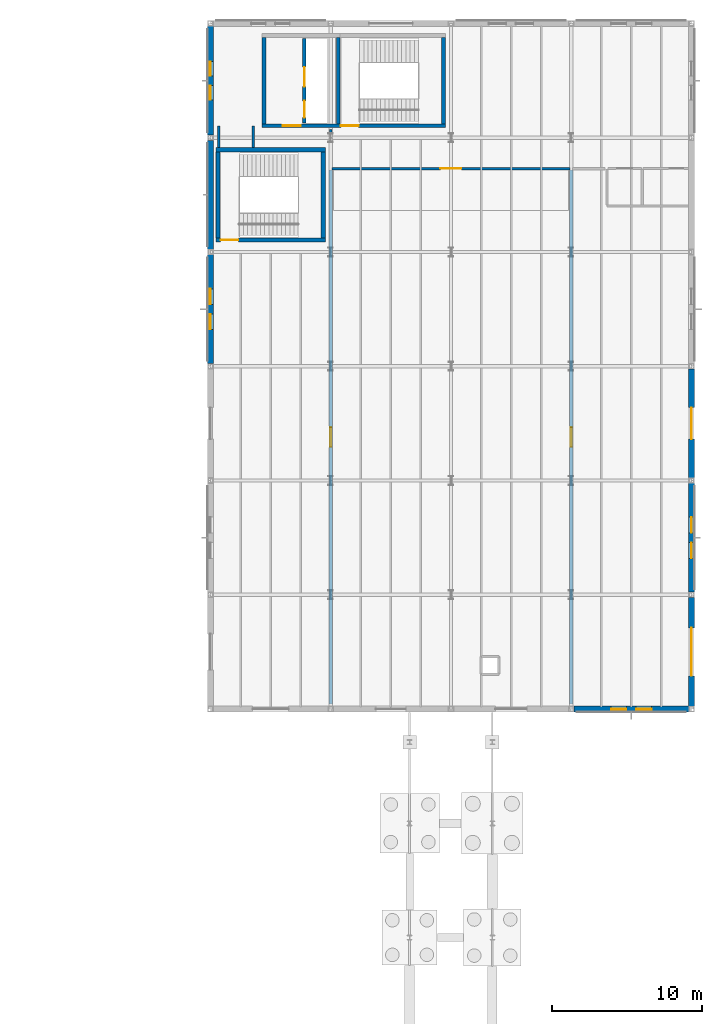
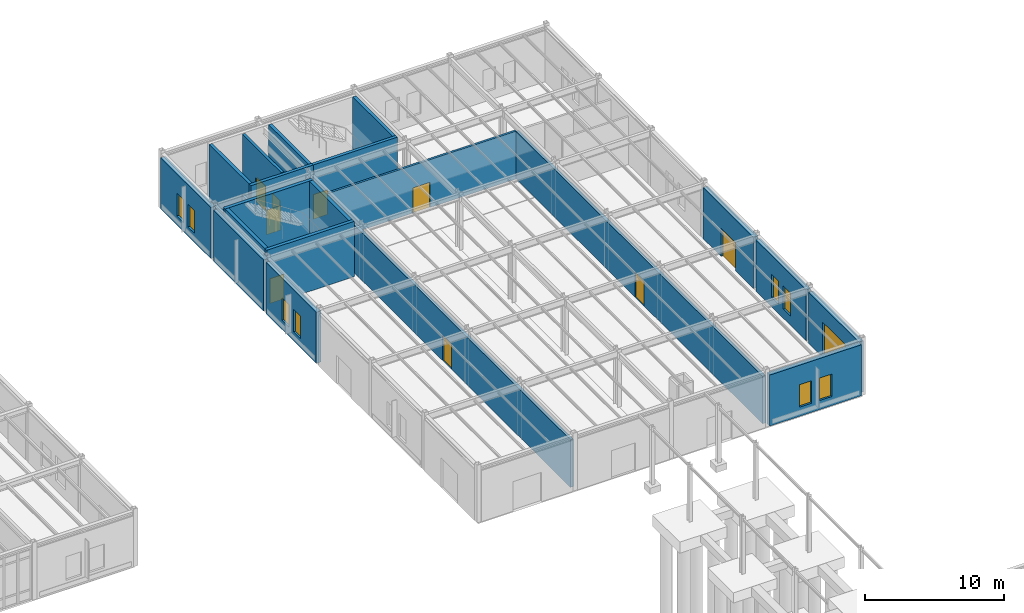
# One storey, part 93 of 109: 23 walls, 10 doors, 8 windows, 18 openings.
"""IFC4 building model written with IfcOpenShell, lengths in metres."""

import ifcopenshell
import ifcopenshell.guid

model = None  # the IFC model being written
_history = None  # IfcOwnerHistory: only IFC2X3 demands one
_inside = {}  # id of a spatial element -> (the spatial element, [elements in it])
_under = {}  # id of a project, library or spatial element -> (it, [spatial elements below it])
_declared = {}  # id of a project -> (the project, [libraries it declares])
_typed = {}  # id of a type object -> (the type object, [elements of that type])
_made_of = {}  # id of a material, layer set ... -> (it, [elements and type objects made of it])


def new_model(schema):
    """Start an empty IFC model of exactly this schema.

    Asked for "IFC4X3", IfcOpenShell would pick the latest addendum, in which some entities
    have other attributes; the version numbers below select the first issue.
    IFC2X3 requires an IfcOwnerHistory on every rooted entity: one is made here for all.
    """
    global model, _history
    if schema == "IFC4X3":
        model = ifcopenshell.file(schema_version=(4, 3, 0, 0))
    else:
        model = ifcopenshell.file(schema=schema)
    _inside.clear()
    _under.clear()
    _declared.clear()
    _typed.clear()
    _made_of.clear()
    _history = None
    if model.schema == "IFC2X3":
        org = make("IfcOrganization", Name="unknown")
        user = make(
            "IfcPersonAndOrganization",
            ThePerson=make("IfcPerson", FamilyName="unknown"),
            TheOrganization=org,
        )
        app = make(
            "IfcApplication",
            ApplicationDeveloper=org,
            Version="unknown",
            ApplicationFullName="unknown",
            ApplicationIdentifier="unknown",
        )
        _history = make(
            "IfcOwnerHistory",
            OwningUser=user,
            OwningApplication=app,
            ChangeAction="ADDED",
            CreationDate=0,
        )
    return model


def make(cls, **values):
    """One entity of the class cls with the attributes given. An attribute that is None is left unset."""
    return model.create_entity(
        cls, **{name: value for name, value in values.items() if value is not None}
    )


def rooted(cls, **values):
    """An entity with a GlobalId (a new one), such as an element, a storey or a relation."""
    return make(cls, GlobalId=ifcopenshell.guid.new(), OwnerHistory=_history, **values)


def si_unit(unit_type, name, prefix=None):
    """IfcSIUnit, for example si_unit("LENGTHUNIT", "METRE", prefix="MILLI")."""
    return make("IfcSIUnit", UnitType=unit_type, Prefix=prefix, Name=name)


def assignment(units):
    """IfcUnitAssignment: the units of a project."""
    return None if units is None else make("IfcUnitAssignment", Units=units)


def point(xyz):
    """IfcCartesianPoint."""
    return None if xyz is None else make("IfcCartesianPoint", Coordinates=xyz)


def direction(xyz):
    """IfcDirection."""
    return None if xyz is None else make("IfcDirection", DirectionRatios=xyz)


def frame(location, z_axis=None, x_axis=None):
    """IfcAxis2Placement3D, a coordinate frame: its origin and axes. An axis left out is left unset."""
    return make(
        "IfcAxis2Placement3D",
        Location=point(location),
        Axis=direction(z_axis),
        RefDirection=direction(x_axis),
    )


def frame_2d(location, x_axis=None):
    """IfcAxis2Placement2D, a coordinate frame in the plane: its origin and x axis."""
    return make(
        "IfcAxis2Placement2D", Location=point(location), RefDirection=direction(x_axis)
    )


def origin():
    """The frame at (0, 0, 0) with its axes left unset."""
    return frame((0.0, 0.0, 0.0))


def place(relative_to, where):
    """IfcLocalPlacement: puts the frame where relative to a parent placement (None: the world)."""
    return make(
        "IfcLocalPlacement", PlacementRelTo=relative_to, RelativePlacement=where
    )


def context(
    kind, dimensions, precision=None, world=None, true_north=None, identifier=None
):
    """IfcGeometricRepresentationContext, for example the 3D "Model" context."""
    return make(
        "IfcGeometricRepresentationContext",
        ContextIdentifier=identifier,
        ContextType=kind,
        CoordinateSpaceDimension=dimensions,
        Precision=precision,
        WorldCoordinateSystem=world,
        TrueNorth=true_north,
    )


def subcontext(parent, identifier, kind, view, scale=None):
    """IfcGeometricRepresentationSubContext, for example "Body" below "Model"."""
    return make(
        "IfcGeometricRepresentationSubContext",
        ContextIdentifier=identifier,
        ContextType=kind,
        ParentContext=parent,
        TargetScale=scale,
        TargetView=view,
    )


def project(units=None, contexts=None):
    """IfcProject with its units and contexts."""
    return rooted(
        "IfcProject",
        Name="project",
        RepresentationContexts=contexts,
        UnitsInContext=assignment(units),
    )


def spatial(cls, under=None, at=None, **own):
    """A site, building, storey or space (cls), placed at a placement, below another one or the project."""
    s = rooted(cls, ObjectPlacement=at, **own)
    if under is not None:
        _under.setdefault(under.id(), (under, []))[1].append(s)
    return s


def profile(cls, at=None, kind="AREA", **sizes):
    """A parametric profile (cls). Its sizes go by their IFC names, for example OverallWidth=200.0."""
    return make(cls, ProfileType=kind, Position=at, **sizes)


def rectangle(**sizes):
    """IfcRectangleProfileDef."""
    return profile("IfcRectangleProfileDef", **sizes)


def extrude(swept, where, along, depth):
    """IfcExtrudedAreaSolid: the profile swept, set in the frame where, extruded along a direction by depth."""
    return make(
        "IfcExtrudedAreaSolid",
        SweptArea=swept,
        Position=where,
        ExtrudedDirection=direction(along),
        Depth=depth,
    )


def shape(context_of_items, identifier, shape_type, items):
    """IfcShapeRepresentation: the items that make up one representation, for example the "Body"."""
    return make(
        "IfcShapeRepresentation",
        ContextOfItems=context_of_items,
        RepresentationIdentifier=identifier,
        RepresentationType=shape_type,
        Items=items,
    )


def material(Name=None, Category=None):
    """IfcMaterial."""
    return make("IfcMaterial", Name=Name, Category=Category)


def layer(
    of_material, thickness, ventilated=None, Name=None, Category=None, Priority=None
):
    """IfcMaterialLayer: one layer of a wall or slab, of a material (None: an air gap)."""
    return make(
        "IfcMaterialLayer",
        Material=of_material,
        LayerThickness=thickness,
        IsVentilated=ventilated,
        Name=Name,
        Category=Category,
        Priority=Priority,
    )


def layer_set(layers, Name=None):
    """IfcMaterialLayerSet."""
    return make("IfcMaterialLayerSet", MaterialLayers=layers, LayerSetName=Name)


def made_of(thing, what):
    """Note that an element or type object is made of a material, layer set ...; save() writes the relation."""
    if what is not None:
        _made_of.setdefault(what.id(), (what, []))[1].append(thing)
    return thing


def type_object(cls, material=None, **own):
    """A type object (cls), such as IfcWallType, which elements share."""
    return made_of(rooted(cls, **own), material)


def element(
    cls,
    number,
    at=None,
    inside=None,
    cuts=None,
    type_object=None,
    material=None,
    context=None,
    identifier="Body",
    shape_type=None,
    held_by="IfcProductDefinitionShape",
    body=None,
    shapes=None,
    **own,
):
    """One element of the class cls, such as IfcWall. Its Tag is "e" and its number.

    at: its placement. inside: the storey or other place that contains it. cuts: it is an
    opening in that element (IfcRelVoidsElement). A single representation is given by context,
    identifier, shape_type and body (its items); several are given by shapes. held_by: the class
    of the entity that holds the representations. save() writes the other relations.
    """
    e = rooted(cls, Tag="e%d" % number, ObjectPlacement=at, **own)
    if body is not None:
        shapes = [shape(context, identifier, shape_type, body)]
    if shapes is not None:
        e.Representation = make(held_by, Representations=shapes)
    if inside is not None:
        _inside.setdefault(inside.id(), (inside, []))[1].append(e)
    if cuts is not None:
        rooted(
            "IfcRelVoidsElement", RelatingBuildingElement=cuts, RelatedOpeningElement=e
        )
    if type_object is not None:
        _typed.setdefault(type_object.id(), (type_object, []))[1].append(e)
    return made_of(e, material)


def fill(opening, filler):
    """IfcRelFillsElement: the door or window that sits in an opening."""
    return rooted(
        "IfcRelFillsElement",
        RelatingOpeningElement=opening,
        RelatedBuildingElement=filler,
    )


def aggregate(whole, parts):
    """IfcRelAggregates: a whole, such as a stair, and the parts it consists of."""
    return rooted("IfcRelAggregates", RelatingObject=whole, RelatedObjects=parts)


def save(model, path):
    """Write the relations noted so far, then the file.

    IfcRelAggregates (storeys below a building ...), IfcRelContainedInSpatialStructure (elements
    in a storey), IfcRelDefinesByType, IfcRelAssociatesMaterial and IfcRelDeclares: one each for
    every whole, place, type object, material and project.
    """
    for whole, parts in _under.values():
        aggregate(whole, parts)
    for where, things in _inside.values():
        rooted(
            "IfcRelContainedInSpatialStructure",
            RelatedElements=things,
            RelatingStructure=where,
        )
    for kind, things in _typed.values():
        rooted("IfcRelDefinesByType", RelatedObjects=things, RelatingType=kind)
    for what, things in _made_of.values():
        rooted("IfcRelAssociatesMaterial", RelatedObjects=things, RelatingMaterial=what)
    for by, libraries in _declared.values():
        rooted("IfcRelDeclares", RelatingContext=by, RelatedDefinitions=libraries)
    model.write(path)


model = new_model("IFC4")

# Units and contexts
model_context = context("Model", 3, precision=1e-05, world=origin(), true_north=direction((0.0, 1.0)))
body_context = subcontext(model_context, "Body", "Model", "MODEL_VIEW")
ifc_project = project(units=[si_unit("LENGTHUNIT", "METRE"), si_unit("AREAUNIT", "SQUARE_METRE"), si_unit("VOLUMEUNIT", "CUBIC_METRE"), si_unit("PLANEANGLEUNIT", "RADIAN"), si_unit("MASSUNIT", "GRAM", prefix="KILO")], contexts=[model_context])

# Site, building, storey
site_placement = place(None, origin())
site = spatial("IfcSite", under=ifc_project, at=site_placement, CompositionType="ELEMENT")
building_placement = place(site_placement, origin())
building = spatial("IfcBuilding", under=site, at=building_placement, Name="Montecoro Central Library", CompositionType="ELEMENT")
storey_placement = place(building_placement, origin())
storey = spatial("IfcBuildingStorey", under=building, at=storey_placement, Name="L00", CompositionType="ELEMENT", Elevation=0.0)

# Wall, openings, windows
ifc_material_1 = material(Name="Dark piperno stone clad concrete C35/45", Category="masonry")
ifc_layer_1 = layer(ifc_material_1, 0.385009765625)
ifc_layer_set_1 = layer_set([ifc_layer_1], Name="Dark piperno stone clad concrete C35/45")
wall_type_1 = type_object("IfcWallType", Name="EW-PIP-385", PredefinedType="SOLIDWALL", material=ifc_layer_set_1)
wall_1_placement = place(storey_placement, frame((165.177978515625, 73.39990234375, 0.0), z_axis=(0.0, 0.0, 1.0), x_axis=(1.0, 0.0, 0.0)))
wall_1 = element("IfcWall", 1, at=wall_1_placement, inside=storey, type_object=wall_type_1, Name="V5-L00-EW-S3", PredefinedType="SOLIDWALL", context=body_context, shape_type="SweptSolid", body=[
    extrude(rectangle(XDim=7.64404296875, YDim=0.385009765625, at=frame_2d((3.822021484375, 0.0))), origin(), (0.0, 0.0, 1.0), 4.5),
])
opening_1_placement = place(wall_1_placement, frame((2.47705078125, 0.0, 0.800048828125)))
opening_1 = element("IfcOpeningElement", 2, at=opening_1_placement, cuts=wall_1, Name="Opening WN-30", PredefinedType="OPENING", context=body_context, shape_type="SweptSolid", body=[
    extrude(rectangle(XDim=1.02001953125, YDim=1.97998046875, at=frame_2d((0.510009765625, 0.989990234375))), frame((0.0, 0.202392578125, 0.0), z_axis=(0.0, -1.0, 0.0), x_axis=(1.0, 0.0, 0.0)), (0.0, 0.0, 1.0), 0.405029296875),
])
opening_2_placement = place(wall_1_placement, frame((4.14697265625, 0.0, 0.800048828125)))
opening_2 = element("IfcOpeningElement", 3, at=opening_2_placement, cuts=wall_1, Name="Opening WN-30", PredefinedType="OPENING", context=body_context, shape_type="SweptSolid", body=[
    extrude(rectangle(XDim=1.02001953125, YDim=1.97998046875, at=frame_2d((0.510009765625, 0.989990234375))), frame((0.0, 0.202392578125, 0.0), z_axis=(0.0, -1.0, 0.0), x_axis=(1.0, 0.0, 0.0)), (0.0, 0.0, 1.0), 0.405029296875),
])
ifc_material_2 = material(Name="UV-filtered triple glazing", Category="glass")
window_type_1 = type_object("IfcWindowType", Name="WN-STK-102", PartitioningType="SINGLE_PANEL", PredefinedType="WINDOW", material=ifc_material_2)
window_1_placement = place(opening_1_placement, origin())
window_1 = element("IfcWindow", 4, at=window_1_placement, inside=storey, type_object=window_type_1, Name="V5-L00-WN-S3-1", OverallHeight=1.97998046875, OverallWidth=1.02001953125, PartitioningType="SINGLE_PANEL", PredefinedType="WINDOW", context=body_context, shape_type="SweptSolid", body=[
    extrude(rectangle(XDim=1.02001953125, YDim=1.97998046875, at=frame_2d((0.510009765625, 0.989990234375))), frame((0.0, 0.030029296875, 0.0), z_axis=(0.0, -1.0, 0.0), x_axis=(1.0, 0.0, 0.0)), (0.0, 0.0, 1.0), 0.06005859375),
])
fill(opening_1, window_1)
window_2_placement = place(opening_2_placement, origin())
window_2 = element("IfcWindow", 5, at=window_2_placement, inside=storey, type_object=window_type_1, Name="V5-L00-WN-S3-2", OverallHeight=1.97998046875, OverallWidth=1.02001953125, PartitioningType="SINGLE_PANEL", PredefinedType="WINDOW", context=body_context, shape_type="SweptSolid", body=[
    extrude(rectangle(XDim=1.02001953125, YDim=1.97998046875, at=frame_2d((0.510009765625, 0.989990234375))), frame((0.0, 0.030029296875, 0.0), z_axis=(0.0, -1.0, 0.0), x_axis=(1.0, 0.0, 0.0)), (0.0, 0.0, 1.0), 0.06005859375),
])
fill(opening_2, window_2)

# Wall, opening, door
wall_2_placement = place(storey_placement, frame((173.0, 73.577880859375, 0.0), z_axis=(0.0, 0.0, 1.0), x_axis=(0.0, 1.0, 0.0)))
wall_2 = element("IfcWall", 6, at=wall_2_placement, inside=storey, type_object=wall_type_1, Name="V5-L00-EW-E0", PredefinedType="SOLIDWALL", context=body_context, shape_type="SweptSolid", body=[
    extrude(rectangle(XDim=7.244140625, YDim=0.385009765625, at=frame_2d((3.6220703125, 0.0))), origin(), (0.0, 0.0, 1.0), 4.5),
])
opening_3_placement = place(wall_2_placement, frame((2.02197265625, 0.0, 0.0)))
opening_3 = element("IfcOpeningElement", 7, at=opening_3_placement, cuts=wall_2, Name="Opening EG-01", PredefinedType="OPENING", context=body_context, shape_type="SweptSolid", body=[
    extrude(rectangle(XDim=3.199951171875, YDim=3.10009765625, at=frame_2d((1.60009765625, 1.550048828125))), frame((0.0, 0.202392578125, 0.0), z_axis=(0.0, -1.0, 0.0), x_axis=(1.0, 0.0, 0.0)), (0.0, 0.0, 1.0), 0.405029296875),
])
ifc_material_3 = material(Name="Thermally broken architectural bronze and safety glass", Category="glass")
door_type_1 = type_object("IfcDoorType", Name="ED-GATE-320", OperationType="NOTDEFINED", PredefinedType="GATE", material=ifc_material_3)
door_1_placement = place(opening_3_placement, origin())
door_1 = element("IfcDoor", 8, at=door_1_placement, inside=storey, type_object=door_type_1, Name="V5-L00-GT-E0", OperationType="ROLLINGUP", OverallHeight=3.10009765625, OverallWidth=3.199951171875, PredefinedType="GATE", context=body_context, shape_type="SweptSolid", body=[
    extrude(rectangle(XDim=3.199951171875, YDim=3.10009765625, at=frame_2d((1.60009765625, 1.550048828125))), frame((0.0, 0.02490234375, 0.0), z_axis=(0.0, -1.0, 0.0), x_axis=(1.0, 0.0, 0.0)), (0.0, 0.0, 1.0), 0.050048828125),
])
fill(opening_3, door_1)

# Wall, openings, windows
wall_3_placement = place(storey_placement, frame((173.0, 81.177978515625, 0.0), z_axis=(0.0, 0.0, 1.0), x_axis=(0.0, 1.0, 0.0)))
wall_3 = element("IfcWall", 9, at=wall_3_placement, inside=storey, type_object=wall_type_1, Name="V5-L00-EW-E1", PredefinedType="SOLIDWALL", context=body_context, shape_type="SweptSolid", body=[
    extrude(rectangle(XDim=7.244140625, YDim=0.385009765625, at=frame_2d((3.6220703125, 0.0))), origin(), (0.0, 0.0, 1.0), 4.5),
])
opening_4_placement = place(wall_3_placement, frame((2.2470703125, 0.0, 0.800048828125)))
opening_4 = element("IfcOpeningElement", 10, at=opening_4_placement, cuts=wall_3, Name="Opening WN-03", PredefinedType="OPENING", context=body_context, shape_type="SweptSolid", body=[
    extrude(rectangle(XDim=1.050048828125, YDim=2.050048828125, at=frame_2d((0.52490234375, 1.02490234375))), frame((0.0, 0.202392578125, 0.0), z_axis=(0.0, -1.0, 0.0), x_axis=(1.0, 0.0, 0.0)), (0.0, 0.0, 1.0), 0.405029296875),
])
opening_5_placement = place(wall_3_placement, frame((3.947021484375, 0.0, 0.800048828125)))
opening_5 = element("IfcOpeningElement", 11, at=opening_5_placement, cuts=wall_3, Name="Opening WN-03", PredefinedType="OPENING", context=body_context, shape_type="SweptSolid", body=[
    extrude(rectangle(XDim=1.050048828125, YDim=2.050048828125, at=frame_2d((0.52490234375, 1.02490234375))), frame((0.0, 0.202392578125, 0.0), z_axis=(0.0, -1.0, 0.0), x_axis=(1.0, 0.0, 0.0)), (0.0, 0.0, 1.0), 0.405029296875),
])
window_type_2 = type_object("IfcWindowType", Name="WN-STK-105", PartitioningType="SINGLE_PANEL", PredefinedType="WINDOW", material=ifc_material_2)
window_3_placement = place(opening_4_placement, origin())
window_3 = element("IfcWindow", 12, at=window_3_placement, inside=storey, type_object=window_type_2, Name="V5-L00-WN-E1-1", OverallHeight=2.050048828125, OverallWidth=1.050048828125, PartitioningType="SINGLE_PANEL", PredefinedType="WINDOW", context=body_context, shape_type="SweptSolid", body=[
    extrude(rectangle(XDim=1.050048828125, YDim=2.050048828125, at=frame_2d((0.52490234375, 1.02490234375))), frame((0.0, 0.030029296875, 0.0), z_axis=(0.0, -1.0, 0.0), x_axis=(1.0, 0.0, 0.0)), (0.0, 0.0, 1.0), 0.06005859375),
])
fill(opening_4, window_3)
window_4_placement = place(opening_5_placement, origin())
window_4 = element("IfcWindow", 13, at=window_4_placement, inside=storey, type_object=window_type_2, Name="V5-L00-WN-E1-2", OverallHeight=2.050048828125, OverallWidth=1.050048828125, PartitioningType="SINGLE_PANEL", PredefinedType="WINDOW", context=body_context, shape_type="SweptSolid", body=[
    extrude(rectangle(XDim=1.050048828125, YDim=2.050048828125, at=frame_2d((0.52490234375, 1.02490234375))), frame((0.0, 0.030029296875, 0.0), z_axis=(0.0, -1.0, 0.0), x_axis=(1.0, 0.0, 0.0)), (0.0, 0.0, 1.0), 0.06005859375),
])
fill(opening_5, window_4)

# Wall, opening, door
wall_4_placement = place(storey_placement, frame((173.0, 88.778076171875, 0.0), z_axis=(0.0, 0.0, 1.0), x_axis=(0.0, 1.0, 0.0)))
wall_4 = element("IfcWall", 14, at=wall_4_placement, inside=storey, type_object=wall_type_1, Name="V5-L00-EW-E2", PredefinedType="SOLIDWALL", context=body_context, shape_type="SweptSolid", body=[
    extrude(rectangle(XDim=7.243896484375, YDim=0.385009765625, at=frame_2d((3.6220703125, 0.0))), origin(), (0.0, 0.0, 1.0), 4.5),
])
opening_6_placement = place(wall_4_placement, frame((2.572021484375, 0.0, 0.0)))
opening_6 = element("IfcOpeningElement", 15, at=opening_6_placement, cuts=wall_4, Name="Opening ED-04", PredefinedType="OPENING", context=body_context, shape_type="SweptSolid", body=[
    extrude(rectangle(XDim=2.10009765625, YDim=2.47998046875, at=frame_2d((1.050048828125, 1.239990234375))), frame((0.0, 0.202392578125, 0.0), z_axis=(0.0, -1.0, 0.0), x_axis=(1.0, 0.0, 0.0)), (0.0, 0.0, 1.0), 0.405029296875),
])
door_type_2 = type_object("IfcDoorType", Name="ED-EXIT-210", OperationType="NOTDEFINED", PredefinedType="DOOR", material=ifc_material_3)
door_2_placement = place(opening_6_placement, origin())
door_2 = element("IfcDoor", 16, at=door_2_placement, inside=storey, type_object=door_type_2, Name="V5-L00-ED-E2", OperationType="SINGLE_SWING_LEFT", OverallHeight=2.47998046875, OverallWidth=2.10009765625, PredefinedType="DOOR", context=body_context, shape_type="SweptSolid", body=[
    extrude(rectangle(XDim=2.10009765625, YDim=2.47998046875, at=frame_2d((1.050048828125, 1.239990234375))), frame((0.0, 0.02490234375, 0.0), z_axis=(0.0, -1.0, 0.0), x_axis=(1.0, 0.0, 0.0)), (0.0, 0.0, 1.0), 0.050048828125),
])
fill(opening_6, door_2)

# Wall, openings, windows
wall_5_placement = place(storey_placement, frame((141.0, 118.822021484375, 0.0), z_axis=(0.0, 0.0, 1.0), x_axis=(0.0, -1.0, 0.0)))
wall_5 = element("IfcWall", 17, at=wall_5_placement, inside=storey, type_object=wall_type_1, Name="V5-L00-EW-W5", PredefinedType="SOLIDWALL", context=body_context, shape_type="SweptSolid", body=[
    extrude(rectangle(XDim=7.244140625, YDim=0.385009765625, at=frame_2d((3.6220703125, 0.0))), origin(), (0.0, 0.0, 1.0), 4.5),
])
opening_7_placement = place(wall_5_placement, frame((2.346923828125, 0.0, 0.800048828125)))
opening_7 = element("IfcOpeningElement", 18, at=opening_7_placement, cuts=wall_5, Name="Opening WN-02", PredefinedType="OPENING", context=body_context, shape_type="SweptSolid", body=[
    extrude(rectangle(XDim=0.949951171875, YDim=2.0, at=frame_2d((0.47509765625, 1.0))), frame((0.0, 0.202392578125, 0.0), z_axis=(0.0, -1.0, 0.0), x_axis=(1.0, 0.0, 0.0)), (0.0, 0.0, 1.0), 0.405029296875),
])
opening_8_placement = place(wall_5_placement, frame((3.947021484375, 0.0, 0.800048828125)))
opening_8 = element("IfcOpeningElement", 19, at=opening_8_placement, cuts=wall_5, Name="Opening WN-02", PredefinedType="OPENING", context=body_context, shape_type="SweptSolid", body=[
    extrude(rectangle(XDim=0.949951171875, YDim=2.0, at=frame_2d((0.47509765625, 1.0))), frame((0.0, 0.202392578125, 0.0), z_axis=(0.0, -1.0, 0.0), x_axis=(1.0, 0.0, 0.0)), (0.0, 0.0, 1.0), 0.405029296875),
])
window_type_3 = type_object("IfcWindowType", Name="WN-STK-095", PartitioningType="SINGLE_PANEL", PredefinedType="WINDOW", material=ifc_material_2)
window_5_placement = place(opening_7_placement, origin())
window_5 = element("IfcWindow", 20, at=window_5_placement, inside=storey, type_object=window_type_3, Name="V5-L00-WN-W5-1", OverallHeight=2.0, OverallWidth=0.949951171875, PartitioningType="SINGLE_PANEL", PredefinedType="WINDOW", context=body_context, shape_type="SweptSolid", body=[
    extrude(rectangle(XDim=0.949951171875, YDim=2.0, at=frame_2d((0.47509765625, 1.0))), frame((0.0, 0.030029296875, 0.0), z_axis=(0.0, -1.0, 0.0), x_axis=(1.0, 0.0, 0.0)), (0.0, 0.0, 1.0), 0.06005859375),
])
fill(opening_7, window_5)
window_6_placement = place(opening_8_placement, origin())
window_6 = element("IfcWindow", 21, at=window_6_placement, inside=storey, type_object=window_type_3, Name="V5-L00-WN-W5-2", OverallHeight=2.0, OverallWidth=0.949951171875, PartitioningType="SINGLE_PANEL", PredefinedType="WINDOW", context=body_context, shape_type="SweptSolid", body=[
    extrude(rectangle(XDim=0.949951171875, YDim=2.0, at=frame_2d((0.47509765625, 1.0))), frame((0.0, 0.030029296875, 0.0), z_axis=(0.0, -1.0, 0.0), x_axis=(1.0, 0.0, 0.0)), (0.0, 0.0, 1.0), 0.06005859375),
])
fill(opening_8, window_6)

# Wall
wall_6_placement = place(storey_placement, frame((141.0, 111.221923828125, 0.0), z_axis=(0.0, 0.0, 1.0), x_axis=(0.0, -1.0, 0.0)))
element("IfcWall", 22, at=wall_6_placement, inside=storey, type_object=wall_type_1, Name="V5-L00-EW-W4", PredefinedType="SOLIDWALL", context=body_context, shape_type="SweptSolid", body=[
    extrude(rectangle(XDim=7.243896484375, YDim=0.385009765625, at=frame_2d((3.6220703125, 0.0))), origin(), (0.0, 0.0, 1.0), 4.5),
])

# Wall, openings, windows
wall_7_placement = place(storey_placement, frame((141.0, 103.6220703125, 0.0), z_axis=(0.0, 0.0, 1.0), x_axis=(0.0, -1.0, 0.0)))
wall_7 = element("IfcWall", 23, at=wall_7_placement, inside=storey, type_object=wall_type_1, Name="V5-L00-EW-W3", PredefinedType="SOLIDWALL", context=body_context, shape_type="SweptSolid", body=[
    extrude(rectangle(XDim=7.244140625, YDim=0.385009765625, at=frame_2d((3.6220703125, 0.0))), origin(), (0.0, 0.0, 1.0), 4.5),
])
opening_9_placement = place(wall_7_placement, frame((2.277099609375, 0.0, 0.800048828125)))
opening_9 = element("IfcOpeningElement", 24, at=opening_9_placement, cuts=wall_7, Name="Opening WN-30", PredefinedType="OPENING", context=body_context, shape_type="SweptSolid", body=[
    extrude(rectangle(XDim=1.02001953125, YDim=1.97998046875, at=frame_2d((0.510009765625, 0.989990234375))), frame((0.0, 0.202392578125, 0.0), z_axis=(0.0, -1.0, 0.0), x_axis=(1.0, 0.0, 0.0)), (0.0, 0.0, 1.0), 0.405029296875),
])
opening_10_placement = place(wall_7_placement, frame((3.947021484375, 0.0, 0.800048828125)))
opening_10 = element("IfcOpeningElement", 25, at=opening_10_placement, cuts=wall_7, Name="Opening WN-30", PredefinedType="OPENING", context=body_context, shape_type="SweptSolid", body=[
    extrude(rectangle(XDim=1.02001953125, YDim=1.97998046875, at=frame_2d((0.510009765625, 0.989990234375))), frame((0.0, 0.202392578125, 0.0), z_axis=(0.0, -1.0, 0.0), x_axis=(1.0, 0.0, 0.0)), (0.0, 0.0, 1.0), 0.405029296875),
])
window_7_placement = place(opening_9_placement, origin())
window_7 = element("IfcWindow", 26, at=window_7_placement, inside=storey, type_object=window_type_1, Name="V5-L00-WN-W3-1", OverallHeight=1.97998046875, OverallWidth=1.02001953125, PartitioningType="SINGLE_PANEL", PredefinedType="WINDOW", context=body_context, shape_type="SweptSolid", body=[
    extrude(rectangle(XDim=1.02001953125, YDim=1.97998046875, at=frame_2d((0.510009765625, 0.989990234375))), frame((0.0, 0.030029296875, 0.0), z_axis=(0.0, -1.0, 0.0), x_axis=(1.0, 0.0, 0.0)), (0.0, 0.0, 1.0), 0.06005859375),
])
fill(opening_9, window_7)
window_8_placement = place(opening_10_placement, origin())
window_8 = element("IfcWindow", 27, at=window_8_placement, inside=storey, type_object=window_type_1, Name="V5-L00-WN-W3-2", OverallHeight=1.97998046875, OverallWidth=1.02001953125, PartitioningType="SINGLE_PANEL", PredefinedType="WINDOW", context=body_context, shape_type="SweptSolid", body=[
    extrude(rectangle(XDim=1.02001953125, YDim=1.97998046875, at=frame_2d((0.510009765625, 0.989990234375))), frame((0.0, 0.030029296875, 0.0), z_axis=(0.0, -1.0, 0.0), x_axis=(1.0, 0.0, 0.0)), (0.0, 0.0, 1.0), 0.06005859375),
])
fill(opening_10, window_8)

# Wall, opening, door
ifc_material_4 = material(Name="Gypsum fire-rated partition")
ifc_layer_2 = layer(ifc_material_4, 0.179931640625)
ifc_layer_set_2 = layer_set([ifc_layer_2], Name="Gypsum fire-rated partition")
wall_type_2 = type_object("IfcWallType", Name="IW-COR-180", PredefinedType="PARTITIONING", material=ifc_layer_set_2)
wall_8_placement = place(storey_placement, frame((149.090087890625, 109.35009765625, 0.0), z_axis=(0.0, 0.0, 1.0), x_axis=(1.0, 0.0, 0.0)))
wall_8 = element("IfcWall", 28, at=wall_8_placement, inside=storey, type_object=wall_type_2, Name="CORW-V5-L00-03", PredefinedType="PARTITIONING", context=body_context, shape_type="SweptSolid", body=[
    extrude(rectangle(XDim=15.81982421875, YDim=0.179931640625, at=frame_2d((7.909912109375, 0.0))), origin(), (0.0, 0.0, 1.0), 4.199951171875),
])
opening_11_placement = place(wall_8_placement, frame((7.2099609375, 0.0, 0.0)))
opening_11 = element("IfcOpeningElement", 29, at=opening_11_placement, cuts=wall_8, Name="Opening ID-08", PredefinedType="OPENING", context=body_context, shape_type="SweptSolid", body=[
    extrude(rectangle(XDim=1.39990234375, YDim=2.219970703125, at=frame_2d((0.699951171875, 1.10986328125))), frame((0.0, 0.099853515625, 0.0), z_axis=(0.0, -1.0, 0.0), x_axis=(1.0, 0.0, 0.0)), (0.0, 0.0, 1.0), 0.199951171875),
])
ifc_material_5 = material(Name="Solid oak and fire-rated steel door", Category="steel")
door_type_3 = type_object("IfcDoorType", Name="ID-RDG-140", OperationType="NOTDEFINED", PredefinedType="DOOR", material=ifc_material_5)
door_3_placement = place(opening_11_placement, origin())
door_3 = element("IfcDoor", 30, at=door_3_placement, inside=storey, type_object=door_type_3, Name="DR-SP-V5-L00-R2P1", OperationType="SINGLE_SWING_RIGHT", OverallHeight=2.219970703125, OverallWidth=1.39990234375, PredefinedType="DOOR", context=body_context, shape_type="SweptSolid", body=[
    extrude(rectangle(XDim=1.39990234375, YDim=2.219970703125, at=frame_2d((0.699951171875, 1.10986328125))), frame((0.0, 0.02490234375, 0.0), z_axis=(0.0, -1.0, 0.0), x_axis=(1.0, 0.0, 0.0)), (0.0, 0.0, 1.0), 0.050048828125),
])
fill(opening_11, door_3)

# Walls
wall_9_placement = place(storey_placement, frame((149.0, 111.639892578125, 0.0), z_axis=(0.0, 0.0, 1.0), x_axis=(0.0, 1.0, 0.0)))
element("IfcWall", 31, at=wall_9_placement, inside=storey, type_object=wall_type_2, Name="PIL-V5-L00-1", PredefinedType="PARTITIONING", context=body_context, shape_type="SweptSolid", body=[
    extrude(rectangle(XDim=0.320068359375, YDim=0.179931640625, at=frame_2d((0.16015625, 0.0))), origin(), (0.0, 0.0, 1.0), 4.199951171875),
])
for number, where, z_axis, x_axis, name in (
    (32, (141.550048828125, 110.760009765625, 0.0), (0.0, 0.0, 1.0), (0.0, 1.0, 0.0), "SPRW-V5-L00-1W1"),
    (33, (143.85009765625, 110.760009765625, 0.0), (0.0, 0.0, 1.0), (0.0, 1.0, 0.0), "SPRW-V5-L00-1E1"),
):
    element("IfcWall", number, at=place(storey_placement, frame(where, z_axis=z_axis, x_axis=x_axis)), inside=storey, type_object=wall_type_2, Name=name, PredefinedType="PARTITIONING", context=body_context, shape_type="SweptSolid", body=[
        extrude(rectangle(XDim=1.43994140625, YDim=0.179931640625, at=frame_2d((0.719970703125, 0.0))), origin(), (0.0, 0.0, 1.0), 4.199951171875),
    ])

# Wall, openings, doors
ifc_material_6 = material(Name="Concrete C32/40", Category="concrete")
ifc_layer_3 = layer(ifc_material_6, 0.219970703125)
ifc_layer_set_3 = layer_set([ifc_layer_3], Name="Concrete C32/40")
wall_type_3 = type_object("IfcWallType", Name="IW-FFL-220", PredefinedType="SOLIDWALL", material=ifc_layer_set_3)
wall_10_placement = place(storey_placement, frame((147.25, 112.39990234375, 0.0), z_axis=(0.0, 0.0, 1.0), x_axis=(0.0, 1.0, 0.0)))
wall_10 = element("IfcWall", 34, at=wall_10_placement, inside=storey, type_object=wall_type_3, Name="C6-L00-WLSH", PredefinedType="SOLIDWALL", context=body_context, shape_type="SweptSolid", body=[
    extrude(rectangle(XDim=5.60009765625, YDim=0.219970703125, at=frame_2d((2.800048828125, 0.0))), origin(), (0.0, 0.0, 1.0), 4.864990234375),
])
opening_12_placement = place(wall_10_placement, frame((0.35009765625, 0.0, 0.0)))
opening_12 = element("IfcOpeningElement", 35, at=opening_12_placement, cuts=wall_10, Name="Opening LD-01", PredefinedType="OPENING", context=body_context, shape_type="SweptSolid", body=[
    extrude(rectangle(XDim=1.10009765625, YDim=2.14990234375, at=frame_2d((0.550048828125, 1.074951171875))), frame((0.0, 0.119873046875, 0.0), z_axis=(0.0, -1.0, 0.0), x_axis=(1.0, 0.0, 0.0)), (0.0, 0.0, 1.0), 0.239990234375),
])
opening_13_placement = place(wall_10_placement, frame((2.39990234375, 0.0, 0.0)))
opening_13 = element("IfcOpeningElement", 36, at=opening_13_placement, cuts=wall_10, Name="Opening LD-02", PredefinedType="OPENING", context=body_context, shape_type="SweptSolid", body=[
    extrude(rectangle(XDim=1.300048828125, YDim=2.179931640625, at=frame_2d((0.64990234375, 1.08984375))), frame((0.0, 0.119873046875, 0.0), z_axis=(0.0, -1.0, 0.0), x_axis=(1.0, 0.0, 0.0)), (0.0, 0.0, 1.0), 0.239990234375),
])
door_type_4 = type_object("IfcDoorType", Name="LD-LIFT-110", OperationType="NOTDEFINED", PredefinedType="DOOR", material=ifc_material_5)
door_4_placement = place(opening_12_placement, origin())
door_4 = element("IfcDoor", 37, at=door_4_placement, inside=storey, type_object=door_type_4, Name="C6-L00-LD-FFL-02", OperationType="SLIDING_TO_LEFT", OverallHeight=2.14990234375, OverallWidth=1.10009765625, PredefinedType="DOOR", context=body_context, shape_type="SweptSolid", body=[
    extrude(rectangle(XDim=1.10009765625, YDim=2.14990234375, at=frame_2d((0.550048828125, 1.074951171875))), frame((0.0, 0.02490234375, 0.0), z_axis=(0.0, -1.0, 0.0), x_axis=(1.0, 0.0, 0.0)), (0.0, 0.0, 1.0), 0.050048828125),
])
fill(opening_12, door_4)
door_type_5 = type_object("IfcDoorType", Name="LD-LIFT-130", OperationType="NOTDEFINED", PredefinedType="DOOR", material=ifc_material_5)
door_5_placement = place(opening_13_placement, origin())
door_5 = element("IfcDoor", 38, at=door_5_placement, inside=storey, type_object=door_type_5, Name="C6-L00-LD-GL-01", OperationType="SLIDING_TO_LEFT", OverallHeight=2.179931640625, OverallWidth=1.300048828125, PredefinedType="DOOR", context=body_context, shape_type="SweptSolid", body=[
    extrude(rectangle(XDim=1.300048828125, YDim=2.179931640625, at=frame_2d((0.64990234375, 1.08984375))), frame((0.0, 0.02490234375, 0.0), z_axis=(0.0, -1.0, 0.0), x_axis=(1.0, 0.0, 0.0)), (0.0, 0.0, 1.0), 0.050048828125),
])
fill(opening_13, door_5)

# Wall, opening, door
ifc_material_7 = material(Name="Concrete C35/45", Category="concrete")
ifc_layer_4 = layer(ifc_material_7, 0.260009765625)
ifc_layer_set_4 = layer_set([ifc_layer_4], Name="Concrete C35/45")
wall_type_4 = type_object("IfcWallType", Name="IW-SHR-260", PredefinedType="SHEAR", material=ifc_layer_set_4)
wall_11_placement = place(storey_placement, frame((144.419921875, 112.199951171875, 0.0), z_axis=(0.0, 0.0, 1.0), x_axis=(1.0, 0.0, 0.0)))
wall_11 = element("IfcWall", 39, at=wall_11_placement, inside=storey, type_object=wall_type_4, Name="C6-L00-LWS", PredefinedType="SHEAR", context=body_context, shape_type="SweptSolid", body=[
    extrude(rectangle(XDim=5.2099609375, YDim=0.260009765625, at=frame_2d((2.60498046875, 0.0))), origin(), (0.0, 0.0, 1.0), 4.864990234375),
])
opening_14_placement = place(wall_11_placement, frame((1.3798828125, 0.0, 0.0)))
opening_14 = element("IfcOpeningElement", 40, at=opening_14_placement, cuts=wall_11, Name="Opening ID-03", PredefinedType="OPENING", context=body_context, shape_type="SweptSolid", body=[
    extrude(rectangle(XDim=1.199951171875, YDim=2.159912109375, at=frame_2d((0.60009765625, 1.080078125))), frame((0.0, 0.139892578125, 0.0), z_axis=(0.0, -1.0, 0.0), x_axis=(1.0, 0.0, 0.0)), (0.0, 0.0, 1.0), 0.280029296875),
])
door_type_6 = type_object("IfcDoorType", Name="ID-FFL-120", OperationType="NOTDEFINED", PredefinedType="DOOR", material=ifc_material_5)
door_6_placement = place(opening_14_placement, origin())
door_6 = element("IfcDoor", 41, at=door_6_placement, inside=storey, type_object=door_type_6, Name="C6-L00-DLOB", OperationType="SINGLE_SWING_LEFT", OverallHeight=2.159912109375, OverallWidth=1.199951171875, PredefinedType="DOOR", context=body_context, shape_type="SweptSolid", body=[
    extrude(rectangle(XDim=1.199951171875, YDim=2.159912109375, at=frame_2d((0.60009765625, 1.080078125))), frame((0.0, 0.02490234375, 0.0), z_axis=(0.0, -1.0, 0.0), x_axis=(1.0, 0.0, 0.0)), (0.0, 0.0, 1.0), 0.050048828125),
])
fill(opening_14, door_6)

# Wall
wall_12_placement = place(storey_placement, frame((144.550048828125, 118.070068359375, 0.0), z_axis=(0.0, 0.0, 1.0), x_axis=(0.0, -1.0, 0.0)))
element("IfcWall", 42, at=wall_12_placement, inside=storey, type_object=wall_type_4, Name="C6-L00-LWW", PredefinedType="SHEAR", context=body_context, shape_type="SweptSolid", body=[
    extrude(rectangle(XDim=5.739990234375, YDim=0.260009765625, at=frame_2d((2.8701171875, 0.0))), origin(), (0.0, 0.0, 1.0), 4.864990234375),
])

# Wall, opening, door
wall_13_placement = place(storey_placement, frame((149.3701171875, 112.199951171875, 0.0), z_axis=(0.0, 0.0, 1.0), x_axis=(1.0, 0.0, 0.0)))
wall_13 = element("IfcWall", 43, at=wall_13_placement, inside=storey, type_object=wall_type_4, Name="C6-L00-WS", PredefinedType="SHEAR", context=body_context, shape_type="SweptSolid", body=[
    extrude(rectangle(XDim=7.259765625, YDim=0.260009765625, at=frame_2d((3.6298828125, 0.0))), origin(), (0.0, 0.0, 1.0), 4.864990234375),
])
opening_15_placement = place(wall_13_placement, frame((0.31005859375, 0.0, 0.0)))
opening_15 = element("IfcOpeningElement", 44, at=opening_15_placement, cuts=wall_13, Name="Opening ID-02", PredefinedType="OPENING", context=body_context, shape_type="SweptSolid", body=[
    extrude(rectangle(XDim=1.179931640625, YDim=2.179931640625, at=frame_2d((0.58984375, 1.08984375))), frame((0.0, 0.139892578125, 0.0), z_axis=(0.0, -1.0, 0.0), x_axis=(1.0, 0.0, 0.0)), (0.0, 0.0, 1.0), 0.280029296875),
])
door_type_7 = type_object("IfcDoorType", Name="ID-STR-135", OperationType="NOTDEFINED", PredefinedType="DOOR", material=ifc_material_5)
door_7_placement = place(opening_15_placement, origin())
door_7 = element("IfcDoor", 45, at=door_7_placement, inside=storey, type_object=door_type_7, Name="C6-L00-DSTR", OperationType="SINGLE_SWING_RIGHT", OverallHeight=2.179931640625, OverallWidth=1.179931640625, PredefinedType="DOOR", context=body_context, shape_type="SweptSolid", body=[
    extrude(rectangle(XDim=1.179931640625, YDim=2.179931640625, at=frame_2d((0.58984375, 1.08984375))), frame((0.0, 0.02490234375, 0.0), z_axis=(0.0, -1.0, 0.0), x_axis=(1.0, 0.0, 0.0)), (0.0, 0.0, 1.0), 0.050048828125),
])
fill(opening_15, door_7)

# Walls
for number, where, z_axis, x_axis, name in (
    (46, (149.5, 112.330078125, 0.0), (0.0, 0.0, 1.0), (0.0, 1.0, 0.0), "C6-L00-WW"),
    (47, (156.5, 112.330078125, 0.0), (0.0, 0.0, 1.0), (0.0, 1.0, 0.0), "C6-L00-WE"),
):
    element("IfcWall", number, at=place(storey_placement, frame(where, z_axis=z_axis, x_axis=x_axis)), inside=storey, type_object=wall_type_4, Name=name, PredefinedType="SHEAR", context=body_context, shape_type="SweptSolid", body=[
        extrude(rectangle(XDim=5.739990234375, YDim=0.260009765625, at=frame_2d((2.8701171875, 0.0))), origin(), (0.0, 0.0, 1.0), 4.864990234375),
    ])

# Wall, opening, door
ifc_layer_5 = layer(ifc_material_7, 0.280029296875)
ifc_layer_set_5 = layer_set([ifc_layer_5], Name="Concrete C35/45")
wall_type_5 = type_object("IfcWallType", Name="IW-SHR-280", PredefinedType="SHEAR", material=ifc_layer_set_5)
wall_14_placement = place(storey_placement, frame((141.360107421875, 104.60009765625, 0.0), z_axis=(0.0, 0.0, 1.0), x_axis=(1.0, 0.0, 0.0)))
wall_14 = element("IfcWall", 48, at=wall_14_placement, inside=storey, type_object=wall_type_5, Name="C8-L00-WS", PredefinedType="SHEAR", context=body_context, shape_type="SweptSolid", body=[
    extrude(rectangle(XDim=7.27978515625, YDim=0.280029296875, at=frame_2d((3.639892578125, 0.0))), origin(), (0.0, 0.0, 1.0), 4.864990234375),
])
opening_16_placement = place(wall_14_placement, frame((0.320068359375, 0.0, 0.0)))
opening_16 = element("IfcOpeningElement", 49, at=opening_16_placement, cuts=wall_14, Name="Opening ID-02", PredefinedType="OPENING", context=body_context, shape_type="SweptSolid", body=[
    extrude(rectangle(XDim=1.179931640625, YDim=2.179931640625, at=frame_2d((0.58984375, 1.08984375))), frame((0.0, 0.14990234375, 0.0), z_axis=(0.0, -1.0, 0.0), x_axis=(1.0, 0.0, 0.0)), (0.0, 0.0, 1.0), 0.300048828125),
])
door_8_placement = place(opening_16_placement, origin())
door_8 = element("IfcDoor", 50, at=door_8_placement, inside=storey, type_object=door_type_7, Name="C8-L00-DSTR", OperationType="SINGLE_SWING_RIGHT", OverallHeight=2.179931640625, OverallWidth=1.179931640625, PredefinedType="DOOR", context=body_context, shape_type="SweptSolid", body=[
    extrude(rectangle(XDim=1.179931640625, YDim=2.179931640625, at=frame_2d((0.58984375, 1.08984375))), frame((0.0, 0.02490234375, 0.0), z_axis=(0.0, -1.0, 0.0), x_axis=(1.0, 0.0, 0.0)), (0.0, 0.0, 1.0), 0.050048828125),
])
fill(opening_16, door_8)

# Walls
wall_15_placement = place(storey_placement, frame((141.360107421875, 110.60009765625, 0.0), z_axis=(0.0, 0.0, 1.0), x_axis=(1.0, 0.0, 0.0)))
element("IfcWall", 51, at=wall_15_placement, inside=storey, type_object=wall_type_5, Name="C8-L00-WN", PredefinedType="SHEAR", context=body_context, shape_type="SweptSolid", body=[
    extrude(rectangle(XDim=7.27978515625, YDim=0.280029296875, at=frame_2d((3.639892578125, 0.0))), origin(), (0.0, 0.0, 1.0), 4.864990234375),
])
for number, where, z_axis, x_axis, name in (
    (52, (141.5, 104.739990234375, 0.0), (0.0, 0.0, 1.0), (0.0, 1.0, 0.0), "C8-L00-WW"),
    (53, (148.5, 104.739990234375, 0.0), (0.0, 0.0, 1.0), (0.0, 1.0, 0.0), "C8-L00-WE"),
):
    element("IfcWall", number, at=place(storey_placement, frame(where, z_axis=z_axis, x_axis=x_axis)), inside=storey, type_object=wall_type_5, Name=name, PredefinedType="SHEAR", context=body_context, shape_type="SweptSolid", body=[
        extrude(rectangle(XDim=5.719970703125, YDim=0.280029296875, at=frame_2d((2.85986328125, 0.0))), origin(), (0.0, 0.0, 1.0), 4.864990234375),
    ])

# Wall, opening, door
ifc_layer_6 = layer(ifc_material_6, 0.239990234375)
ifc_layer_set_6 = layer_set([ifc_layer_6], Name="Concrete C32/40")
wall_type_6 = type_object("IfcWallType", Name="IW-VLT-240", PredefinedType="SOLIDWALL", material=ifc_layer_set_6)
wall_16_placement = place(storey_placement, frame((149.0, 73.719970703125, 0.0), z_axis=(0.0, 0.0, 1.0), x_axis=(0.0, 1.0, 0.0)))
wall_16 = element("IfcWall", 54, at=wall_16_placement, inside=storey, type_object=wall_type_6, Name="Archival Vault Enclosure Wall", PredefinedType="SOLIDWALL", context=body_context, shape_type="SweptSolid", body=[
    extrude(rectangle(XDim=35.5400390625, YDim=0.239990234375, at=frame_2d((17.77001953125, 0.0))), origin(), (0.0, 0.0, 1.0), 4.199951171875),
])
opening_17_placement = place(wall_16_placement, frame((17.1201171875, 0.0, 0.0)))
opening_17 = element("IfcOpeningElement", 55, at=opening_17_placement, cuts=wall_16, Name="Opening ID-04", PredefinedType="OPENING", context=body_context, shape_type="SweptSolid", body=[
    extrude(rectangle(XDim=1.300048828125, YDim=2.199951171875, at=frame_2d((0.64990234375, 1.10009765625))), frame((0.0, 0.1298828125, 0.0), z_axis=(0.0, -1.0, 0.0), x_axis=(1.0, 0.0, 0.0)), (0.0, 0.0, 1.0), 0.260009765625),
])
door_type_8 = type_object("IfcDoorType", Name="ID-VLT-130", OperationType="NOTDEFINED", PredefinedType="DOOR", material=ifc_material_5)
door_9_placement = place(opening_17_placement, origin())
door_9 = element("IfcDoor", 56, at=door_9_placement, inside=storey, type_object=door_type_8, Name="DR-SP-V5-L00-R1P1", OperationType="SINGLE_SWING_LEFT", OverallHeight=2.199951171875, OverallWidth=1.300048828125, PredefinedType="DOOR", context=body_context, shape_type="SweptSolid", body=[
    extrude(rectangle(XDim=1.300048828125, YDim=2.199951171875, at=frame_2d((0.64990234375, 1.10009765625))), frame((0.0, 0.02490234375, 0.0), z_axis=(0.0, -1.0, 0.0), x_axis=(1.0, 0.0, 0.0)), (0.0, 0.0, 1.0), 0.050048828125),
])
fill(opening_17, door_9)

wall_17_placement = place(storey_placement, frame((165.0, 73.719970703125, 0.0), z_axis=(0.0, 0.0, 1.0), x_axis=(0.0, 1.0, 0.0)))
wall_17 = element("IfcWall", 57, at=wall_17_placement, inside=storey, type_object=wall_type_6, Name="Archival Vault Enclosure Wall", PredefinedType="SOLIDWALL", context=body_context, shape_type="SweptSolid", body=[
    extrude(rectangle(XDim=35.5400390625, YDim=0.239990234375, at=frame_2d((17.77001953125, 0.0))), origin(), (0.0, 0.0, 1.0), 4.199951171875),
])
opening_18_placement = place(wall_17_placement, frame((17.1201171875, 0.0, 0.0)))
opening_18 = element("IfcOpeningElement", 58, at=opening_18_placement, cuts=wall_17, Name="Opening ID-04", PredefinedType="OPENING", context=body_context, shape_type="SweptSolid", body=[
    extrude(rectangle(XDim=1.300048828125, YDim=2.199951171875, at=frame_2d((0.64990234375, 1.10009765625))), frame((0.0, 0.1298828125, 0.0), z_axis=(0.0, -1.0, 0.0), x_axis=(1.0, 0.0, 0.0)), (0.0, 0.0, 1.0), 0.260009765625),
])
door_10_placement = place(opening_18_placement, origin())
door_10 = element("IfcDoor", 59, at=door_10_placement, inside=storey, type_object=door_type_8, Name="DR-SP-V5-L00-R3P1", OperationType="SINGLE_SWING_LEFT", OverallHeight=2.199951171875, OverallWidth=1.300048828125, PredefinedType="DOOR", context=body_context, shape_type="SweptSolid", body=[
    extrude(rectangle(XDim=1.300048828125, YDim=2.199951171875, at=frame_2d((0.64990234375, 1.10009765625))), frame((0.0, 0.02490234375, 0.0), z_axis=(0.0, -1.0, 0.0), x_axis=(1.0, 0.0, 0.0)), (0.0, 0.0, 1.0), 0.050048828125),
])
fill(opening_18, door_10)

save(model, "model.ifc")
